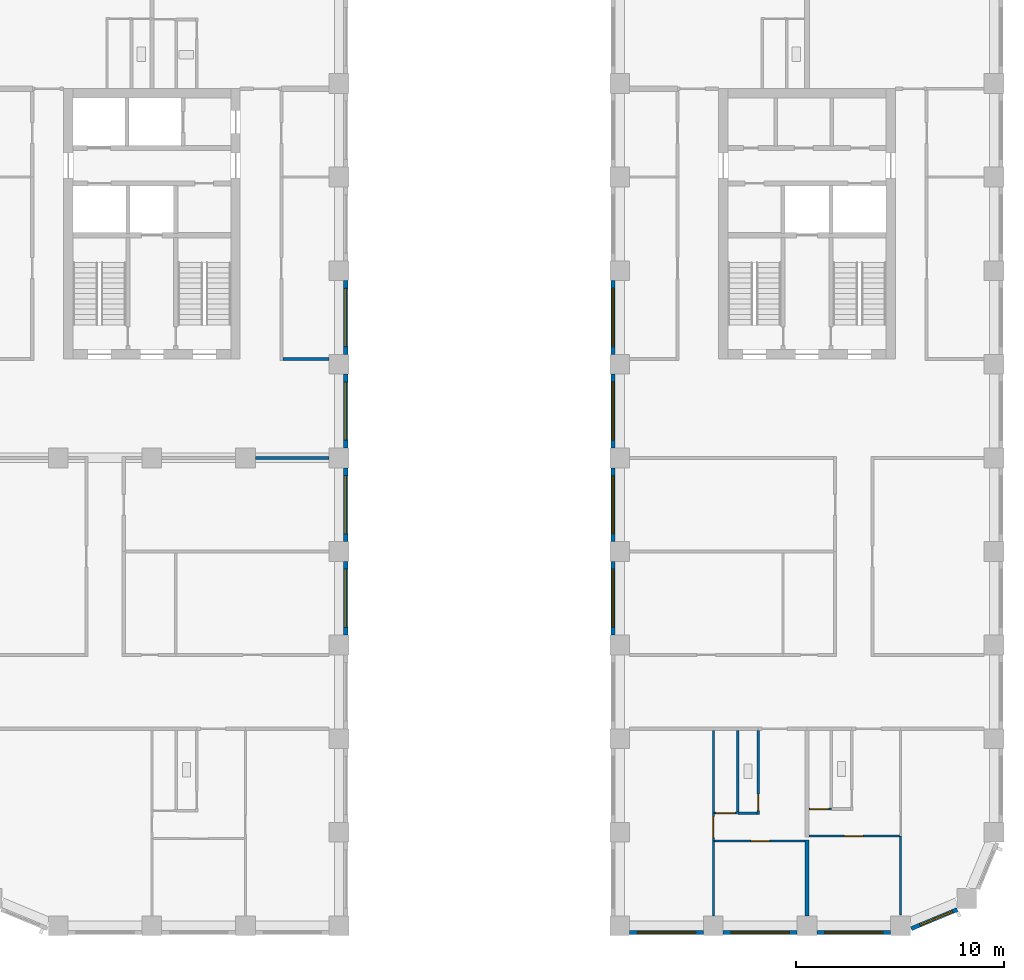
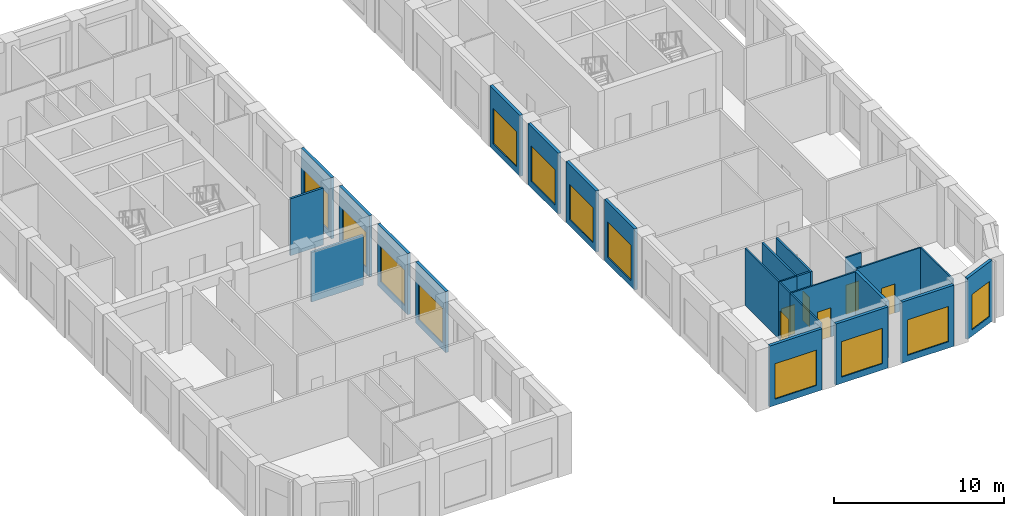
# One storey, part 4 of 13: 26 walls, 12 windows, 6 doors, 18 openings.
"""IFC4 building model written with IfcOpenShell, lengths in metres."""

from ifc_helpers import new_model, si_unit, direction, frame, frame_2d, origin, place, context, subcontext, project, spatial, rectangle, extrude, material, layer, layer_set, type_object, element, fill, save


model = new_model("IFC4")

# Units and contexts
model_context = context("Model", 3, precision=1e-05, world=origin(), true_north=direction((0.0, 1.0)))
body_context = subcontext(model_context, "Body", "Model", "MODEL_VIEW")
ifc_project = project(units=[si_unit("LENGTHUNIT", "METRE"), si_unit("AREAUNIT", "SQUARE_METRE"), si_unit("VOLUMEUNIT", "CUBIC_METRE"), si_unit("PLANEANGLEUNIT", "RADIAN"), si_unit("MASSUNIT", "GRAM", prefix="KILO")], contexts=[model_context])

# Site, building, storey
site_placement = place(None, origin())
site = spatial("IfcSite", under=ifc_project, at=site_placement, CompositionType="ELEMENT")
building_placement = place(site_placement, origin())
building = spatial("IfcBuilding", under=site, at=building_placement, Name="Girih Gate Residences", CompositionType="ELEMENT")
storey_placement = place(building_placement, frame((0.0, 0.0, 159.39990234375)))
storey = spatial("IfcBuildingStorey", under=building, at=storey_placement, Name="L44", CompositionType="ELEMENT", Elevation=159.39990234375)

# Walls
ifc_material_1 = material(Name="Gypsum board on steel studs", Category="steel")
ifc_layer_1 = layer(ifc_material_1, 0.14990234375)
ifc_layer_set_1 = layer_set([ifc_layer_1], Name="Compartment wall 150 mm")
wall_type_1 = type_object("IfcWallType", Name="Compartment wall 150 mm", PredefinedType="PARTITIONING", material=ifc_layer_set_1)
wall_1_placement = place(storey_placement, frame((13.97509765625, 22.5, 0.0), z_axis=(0.0, 0.0, 1.0), x_axis=(1.0, 0.0, 0.0)))
element("IfcWall", 1, at=wall_1_placement, inside=storey, type_object=wall_type_1, Name="L44 partition", PredefinedType="PARTITIONING", context=body_context, shape_type="SweptSolid", body=[
    extrude(rectangle(XDim=3.5498046875, YDim=0.14990234375, at=frame_2d((1.77490234375, 0.0))), origin(), (0.0, 0.0, 1.0), 3.580078125),
])
wall_2_placement = place(storey_placement, frame((15.300048828125, 27.25, 0.0), z_axis=(0.0, 0.0, 1.0), x_axis=(1.0, 0.0, 0.0)))
element("IfcWall", 2, at=wall_2_placement, inside=storey, type_object=wall_type_1, Name="L44 partition", PredefinedType="PARTITIONING", context=body_context, shape_type="SweptSolid", body=[
    extrude(rectangle(XDim=2.224853515625, YDim=0.14990234375, at=frame_2d((1.1123046875, 0.0))), origin(), (0.0, 0.0, 1.0), 4.10009765625),
])

# Wall, opening, door
ifc_layer_2 = layer(ifc_material_1, 0.10009765625)
ifc_layer_set_2 = layer_set([ifc_layer_2], Name="Partition 100 mm")
wall_type_2 = type_object("IfcWallType", Name="Partition 100 mm", PredefinedType="PARTITIONING", material=ifc_layer_set_2)
wall_3_placement = place(storey_placement, frame((44.949951171875, 4.31494140625, 0.0), z_axis=(0.0, 0.0, 1.0), x_axis=(-1.0, 0.0, 0.0)))
wall_3 = element("IfcWall", 3, at=wall_3_placement, inside=storey, type_object=wall_type_2, Name="L44 partition", PredefinedType="PARTITIONING", context=body_context, shape_type="SweptSolid", body=[
    extrude(rectangle(XDim=4.349853515625, YDim=0.10009765625, at=frame_2d((2.1748046875, 0.0))), origin(), (0.0, 0.0, 1.0), 4.10009765625),
])
opening_1_placement = place(wall_3_placement, frame((1.75, 0.0, 0.0)))
opening_1 = element("IfcOpeningElement", 4, at=opening_1_placement, cuts=wall_3, Name="Opening A44-018", PredefinedType="OPENING", context=body_context, shape_type="SweptSolid", body=[
    extrude(rectangle(XDim=0.89990234375, YDim=2.10009765625, at=frame_2d((0.449951171875, 1.050048828125))), frame((0.0, 0.06005859375, 0.0), z_axis=(0.0, -1.0, 0.0), x_axis=(1.0, 0.0, 0.0)), (0.0, 0.0, 1.0), 0.1201171875),
])
ifc_material_2 = material(Name="Timber", Category="wood")
door_type_1 = type_object("IfcDoorType", Name="Bedroom door 900x2100", OperationType="NOTDEFINED", PredefinedType="DOOR", material=ifc_material_2)
door_1_placement = place(opening_1_placement, origin())
door_1 = element("IfcDoor", 5, at=door_1_placement, inside=storey, type_object=door_type_1, Name="Door A44-018", OperationType="SINGLE_SWING_RIGHT", OverallHeight=2.10009765625, OverallWidth=0.89990234375, PredefinedType="DOOR", context=body_context, shape_type="SweptSolid", body=[
    extrude(rectangle(XDim=0.89990234375, YDim=2.10009765625, at=frame_2d((0.449951171875, 1.050048828125))), frame((0.0, 0.02490234375, 0.0), z_axis=(0.0, -1.0, 0.0), x_axis=(1.0, 0.0, 0.0)), (0.0, 0.0, 1.0), 0.050048828125),
])
fill(opening_1, door_1)

# Wall
wall_4_placement = place(storey_placement, frame((45.0, 0.51416015625, 0.0), z_axis=(0.0, 0.0, 1.0), x_axis=(0.0, 1.0, 0.0)))
element("IfcWall", 6, at=wall_4_placement, inside=storey, type_object=wall_type_2, Name="L44 partition", PredefinedType="PARTITIONING", context=body_context, shape_type="SweptSolid", body=[
    extrude(rectangle(XDim=3.80078125, YDim=0.10009765625, at=frame_2d((1.900390625, 0.0))), origin(), (0.0, 0.0, 1.0), 4.10009765625),
])

# Wall, opening, door
wall_5_placement = place(storey_placement, frame((40.60009765625, 5.614990234375, 0.0), z_axis=(0.0, 0.0, 1.0), x_axis=(1.0, 0.0, 0.0)))
wall_5 = element("IfcWall", 7, at=wall_5_placement, inside=storey, type_object=wall_type_2, Name="L44 partition", PredefinedType="PARTITIONING", context=body_context, shape_type="SweptSolid", body=[
    extrude(rectangle(XDim=1.072509765625, YDim=0.10009765625, at=frame_2d((0.5361328125, 0.0))), origin(), (0.0, 0.0, 1.0), 4.10009765625),
])
opening_2_placement = place(wall_5_placement, frame((0.036376953125, 0.0, 0.0)))
opening_2 = element("IfcOpeningElement", 8, at=opening_2_placement, cuts=wall_5, Name="Opening A44-019", PredefinedType="OPENING", context=body_context, shape_type="SweptSolid", body=[
    extrude(rectangle(XDim=0.89990234375, YDim=2.10009765625, at=frame_2d((0.449951171875, 1.050048828125))), frame((0.0, 0.06005859375, 0.0), z_axis=(0.0, -1.0, 0.0), x_axis=(1.0, 0.0, 0.0)), (0.0, 0.0, 1.0), 0.1201171875),
])
door_type_2 = type_object("IfcDoorType", Name="Kitchen door 900x2100", OperationType="NOTDEFINED", PredefinedType="DOOR", material=ifc_material_2)
door_2_placement = place(opening_2_placement, origin())
door_2 = element("IfcDoor", 9, at=door_2_placement, inside=storey, type_object=door_type_2, Name="Door A44-019", OperationType="SINGLE_SWING_LEFT", OverallHeight=2.10009765625, OverallWidth=0.89990234375, PredefinedType="DOOR", context=body_context, shape_type="SweptSolid", body=[
    extrude(rectangle(XDim=0.89990234375, YDim=2.10009765625, at=frame_2d((0.449951171875, 1.050048828125))), frame((0.0, 0.02490234375, 0.0), z_axis=(0.0, -1.0, 0.0), x_axis=(1.0, 0.0, 0.0)), (0.0, 0.0, 1.0), 0.050048828125),
])
fill(opening_2, door_2)

wall_6_placement = place(storey_placement, frame((40.39990234375, 4.074951171875, 0.0), z_axis=(0.0, 0.0, 1.0), x_axis=(-1.0, 0.0, 0.0)))
wall_6 = element("IfcWall", 10, at=wall_6_placement, inside=storey, type_object=wall_type_2, Name="L44 partition", PredefinedType="PARTITIONING", context=body_context, shape_type="SweptSolid", body=[
    extrude(rectangle(XDim=4.349853515625, YDim=0.10009765625, at=frame_2d((2.1748046875, 0.0))), origin(), (0.0, 0.0, 1.0), 4.10009765625),
])
opening_3_placement = place(wall_6_placement, frame((1.699951171875, 0.0, 0.0)))
opening_3 = element("IfcOpeningElement", 11, at=opening_3_placement, cuts=wall_6, Name="Opening A44-023", PredefinedType="OPENING", context=body_context, shape_type="SweptSolid", body=[
    extrude(rectangle(XDim=0.89990234375, YDim=2.10009765625, at=frame_2d((0.449951171875, 1.050048828125))), frame((0.0, 0.06005859375, 0.0), z_axis=(0.0, -1.0, 0.0), x_axis=(1.0, 0.0, 0.0)), (0.0, 0.0, 1.0), 0.1201171875),
])
door_3_placement = place(opening_3_placement, origin())
door_3 = element("IfcDoor", 12, at=door_3_placement, inside=storey, type_object=door_type_1, Name="Door A44-023", OperationType="SINGLE_SWING_LEFT", OverallHeight=2.10009765625, OverallWidth=0.89990234375, PredefinedType="DOOR", context=body_context, shape_type="SweptSolid", body=[
    extrude(rectangle(XDim=0.89990234375, YDim=2.10009765625, at=frame_2d((0.449951171875, 1.050048828125))), frame((0.0, 0.02490234375, 0.0), z_axis=(0.0, -1.0, 0.0), x_axis=(1.0, 0.0, 0.0)), (0.0, 0.0, 1.0), 0.050048828125),
])
fill(opening_3, door_3)

# Wall
wall_7_placement = place(storey_placement, frame((36.0, 0.47509765625, 0.0), z_axis=(0.0, 0.0, 1.0), x_axis=(0.0, 1.0, 0.0)))
element("IfcWall", 13, at=wall_7_placement, inside=storey, type_object=wall_type_2, Name="L44 partition", PredefinedType="PARTITIONING", context=body_context, shape_type="SweptSolid", body=[
    extrude(rectangle(XDim=3.599853515625, YDim=0.10009765625, at=frame_2d((1.7998046875, 0.0))), origin(), (0.0, 0.0, 1.0), 4.10009765625),
])

# Wall, opening, door
wall_8_placement = place(storey_placement, frame((36.050048828125, 5.4150390625, 0.0), z_axis=(0.0, 0.0, 1.0), x_axis=(1.0, 0.0, 0.0)))
wall_8 = element("IfcWall", 14, at=wall_8_placement, inside=storey, type_object=wall_type_2, Name="L44 partition", PredefinedType="PARTITIONING", context=body_context, shape_type="SweptSolid", body=[
    extrude(rectangle(XDim=1.12255859375, YDim=0.10009765625, at=frame_2d((0.561279296875, 0.0))), origin(), (0.0, 0.0, 1.0), 4.10009765625),
])
opening_4_placement = place(wall_8_placement, frame((0.08642578125, 0.0, 0.0)))
opening_4 = element("IfcOpeningElement", 15, at=opening_4_placement, cuts=wall_8, Name="Opening A44-024", PredefinedType="OPENING", context=body_context, shape_type="SweptSolid", body=[
    extrude(rectangle(XDim=0.89990234375, YDim=2.10009765625, at=frame_2d((0.449951171875, 1.050048828125))), frame((0.0, 0.06005859375, 0.0), z_axis=(0.0, -1.0, 0.0), x_axis=(1.0, 0.0, 0.0)), (0.0, 0.0, 1.0), 0.1201171875),
])
door_4_placement = place(opening_4_placement, origin())
door_4 = element("IfcDoor", 16, at=door_4_placement, inside=storey, type_object=door_type_2, Name="Door A44-024", OperationType="SINGLE_SWING_LEFT", OverallHeight=2.10009765625, OverallWidth=0.89990234375, PredefinedType="DOOR", context=body_context, shape_type="SweptSolid", body=[
    extrude(rectangle(XDim=0.89990234375, YDim=2.10009765625, at=frame_2d((0.449951171875, 1.050048828125))), frame((0.0, 0.02490234375, 0.0), z_axis=(0.0, -1.0, 0.0), x_axis=(1.0, 0.0, 0.0)), (0.0, 0.0, 1.0), 0.050048828125),
])
fill(opening_4, door_4)

wall_9_placement = place(storey_placement, frame((36.0, 4.074951171875, 0.0), z_axis=(0.0, 0.0, 1.0), x_axis=(0.0, 1.0, 0.0)))
wall_9 = element("IfcWall", 17, at=wall_9_placement, inside=storey, type_object=wall_type_2, Name="L44 partition", PredefinedType="PARTITIONING", context=body_context, shape_type="SweptSolid", body=[
    extrude(rectangle(XDim=1.340087890625, YDim=0.10009765625, at=frame_2d((0.669921875, 0.0))), origin(), (0.0, 0.0, 1.0), 4.10009765625),
])
opening_5_placement = place(wall_9_placement, frame((0.169921875, 0.0, 0.0)))
opening_5 = element("IfcOpeningElement", 18, at=opening_5_placement, cuts=wall_9, Name="Opening A44-025", PredefinedType="OPENING", context=body_context, shape_type="SweptSolid", body=[
    extrude(rectangle(XDim=1.0, YDim=2.10009765625, at=frame_2d((0.5, 1.050048828125))), frame((0.0, 0.06005859375, 0.0), z_axis=(0.0, -1.0, 0.0), x_axis=(1.0, 0.0, 0.0)), (0.0, 0.0, 1.0), 0.1201171875),
])
door_type_3 = type_object("IfcDoorType", Name="Living room door 1000x2100", OperationType="NOTDEFINED", PredefinedType="DOOR", material=ifc_material_2)
door_5_placement = place(opening_5_placement, origin())
door_5 = element("IfcDoor", 19, at=door_5_placement, inside=storey, type_object=door_type_3, Name="Door A44-025", OperationType="SINGLE_SWING_RIGHT", OverallHeight=2.10009765625, OverallWidth=1.0, PredefinedType="DOOR", context=body_context, shape_type="SweptSolid", body=[
    extrude(rectangle(XDim=1.0, YDim=2.10009765625, at=frame_2d((0.5, 1.050048828125))), frame((0.0, 0.02490234375, 0.0), z_axis=(0.0, -1.0, 0.0), x_axis=(1.0, 0.0, 0.0)), (0.0, 0.0, 1.0), 0.050048828125),
])
fill(opening_5, door_5)

# Walls
wall_10_placement = place(storey_placement, frame((36.0, 5.4150390625, 0.0), z_axis=(0.0, 0.0, 1.0), x_axis=(0.0, 1.0, 0.0)))
element("IfcWall", 20, at=wall_10_placement, inside=storey, type_object=wall_type_2, Name="L44 partition", PredefinedType="PARTITIONING", context=body_context, shape_type="SweptSolid", body=[
    extrude(rectangle(XDim=3.98486328125, YDim=0.10009765625, at=frame_2d((1.992431640625, 0.0))), origin(), (0.0, 0.0, 1.0), 4.10009765625),
])
ifc_layer_3 = layer(ifc_material_1, 0.199951171875)
ifc_layer_set_3 = layer_set([ifc_layer_3], Name="Party wall 200 mm")
wall_type_3 = type_object("IfcWallType", Name="Party wall 200 mm", PredefinedType="PARTITIONING", material=ifc_layer_set_3)
wall_11_placement = place(storey_placement, frame((40.5, 0.47509765625, 0.0), z_axis=(0.0, 0.0, 1.0), x_axis=(0.0, 1.0, 0.0)))
element("IfcWall", 21, at=wall_11_placement, inside=storey, type_object=wall_type_3, Name="L44 partition", PredefinedType="PARTITIONING", context=body_context, shape_type="SweptSolid", body=[
    extrude(rectangle(XDim=3.64990234375, YDim=0.199951171875, at=frame_2d((1.824951171875, 0.0))), origin(), (0.0, 0.0, 1.0), 4.10009765625),
])

# Wall, opening, window
ifc_material_3 = material(Name="Precast concrete C50/60", Category="concrete")
ifc_layer_4 = layer(ifc_material_3, 0.06005859375, Name="Outer leaf")
ifc_material_4 = material(Name="Rigid PIR insulation")
ifc_layer_5 = layer(ifc_material_4, 0.090087890625, Name="Insulation")
ifc_material_5 = material(Name="Precast concrete C40/50", Category="concrete")
ifc_layer_6 = layer(ifc_material_5, 0.050048828125, Name="Inner leaf")
ifc_layer_set_4 = layer_set([ifc_layer_4, ifc_layer_5, ifc_layer_6], Name="Precast concrete C50/60 external wall 200")
wall_type_4 = type_object("IfcWallType", Name="Precast concrete C50/60 external wall 200", PredefinedType="SOLIDWALL", material=ifc_layer_set_4)
wall_12_placement = place(storey_placement, frame((18.324951171875, 17.52490234375, 0.0), z_axis=(0.0, 0.0, 1.0), x_axis=(0.0, -1.0, 0.0)))
wall_12 = element("IfcWall", 22, at=wall_12_placement, inside=storey, type_object=wall_type_4, Name="External wall E0180_0000.3", PredefinedType="SOLIDWALL", context=body_context, shape_type="SweptSolid", body=[
    extrude(rectangle(XDim=3.5498046875, YDim=0.199951171875, at=frame_2d((1.77490234375, 0.0))), origin(), (0.0, 0.0, 1.0), 4.400146484375),
])
opening_6_placement = place(wall_12_placement, frame((0.375, 0.0, 0.449951171875)))
opening_6 = element("IfcOpeningElement", 23, at=opening_6_placement, cuts=wall_12, Name="Opening W-6A", PredefinedType="OPENING", context=body_context, shape_type="SweptSolid", body=[
    extrude(rectangle(XDim=2.800048828125, YDim=2.550048828125, at=frame_2d((1.39990234375, 1.27490234375))), frame((0.0, 0.10986328125, 0.0), z_axis=(0.0, -1.0, 0.0), x_axis=(1.0, 0.0, 0.0)), (0.0, 0.0, 1.0), 0.219970703125),
])
ifc_material_6 = material(Name="Double glazing in aluminium frame", Category="aluminium")
window_type_1 = type_object("IfcWindowType", Name="Window W-6A 2800x2550", PartitioningType="SINGLE_PANEL", PredefinedType="WINDOW", material=ifc_material_6)
window_1_placement = place(opening_6_placement, origin())
window_1 = element("IfcWindow", 24, at=window_1_placement, inside=storey, type_object=window_type_1, Name="Window W-6A E0180_0000.3", OverallHeight=2.550048828125, OverallWidth=2.800048828125, PartitioningType="SINGLE_PANEL", PredefinedType="WINDOW", context=body_context, shape_type="SweptSolid", body=[
    extrude(rectangle(XDim=2.800048828125, YDim=2.550048828125, at=frame_2d((1.39990234375, 1.27490234375))), frame((0.0, 0.030029296875, 0.0), z_axis=(0.0, -1.0, 0.0), x_axis=(1.0, 0.0, 0.0)), (0.0, 0.0, 1.0), 0.06005859375),
])
fill(opening_6, window_1)

wall_13_placement = place(storey_placement, frame((18.324951171875, 22.02490234375, 0.0), z_axis=(0.0, 0.0, 1.0), x_axis=(0.0, -1.0, 0.0)))
wall_13 = element("IfcWall", 25, at=wall_13_placement, inside=storey, type_object=wall_type_4, Name="External wall E0180_0000.4", PredefinedType="SOLIDWALL", context=body_context, shape_type="SweptSolid", body=[
    extrude(rectangle(XDim=3.5498046875, YDim=0.199951171875, at=frame_2d((1.77490234375, 0.0))), origin(), (0.0, 0.0, 1.0), 4.400146484375),
])
opening_7_placement = place(wall_13_placement, frame((0.375, 0.0, 0.449951171875)))
opening_7 = element("IfcOpeningElement", 26, at=opening_7_placement, cuts=wall_13, Name="Opening W-6A", PredefinedType="OPENING", context=body_context, shape_type="SweptSolid", body=[
    extrude(rectangle(XDim=2.800048828125, YDim=2.550048828125, at=frame_2d((1.39990234375, 1.27490234375))), frame((0.0, 0.10986328125, 0.0), z_axis=(0.0, -1.0, 0.0), x_axis=(1.0, 0.0, 0.0)), (0.0, 0.0, 1.0), 0.219970703125),
])
window_2_placement = place(opening_7_placement, origin())
window_2 = element("IfcWindow", 27, at=window_2_placement, inside=storey, type_object=window_type_1, Name="Window W-6A E0180_0000.4", OverallHeight=2.550048828125, OverallWidth=2.800048828125, PartitioningType="SINGLE_PANEL", PredefinedType="WINDOW", context=body_context, shape_type="SweptSolid", body=[
    extrude(rectangle(XDim=2.800048828125, YDim=2.550048828125, at=frame_2d((1.39990234375, 1.27490234375))), frame((0.0, 0.030029296875, 0.0), z_axis=(0.0, -1.0, 0.0), x_axis=(1.0, 0.0, 0.0)), (0.0, 0.0, 1.0), 0.06005859375),
])
fill(opening_7, window_2)

wall_14_placement = place(storey_placement, frame((18.324951171875, 26.52490234375, 0.0), z_axis=(0.0, 0.0, 1.0), x_axis=(0.0, -1.0, 0.0)))
wall_14 = element("IfcWall", 28, at=wall_14_placement, inside=storey, type_object=wall_type_4, Name="External wall E0180_0000.5", PredefinedType="SOLIDWALL", context=body_context, shape_type="SweptSolid", body=[
    extrude(rectangle(XDim=3.5498046875, YDim=0.199951171875, at=frame_2d((1.77490234375, 0.0))), origin(), (0.0, 0.0, 1.0), 4.400146484375),
])
opening_8_placement = place(wall_14_placement, frame((0.375, 0.0, 0.449951171875)))
opening_8 = element("IfcOpeningElement", 29, at=opening_8_placement, cuts=wall_14, Name="Opening W-6A", PredefinedType="OPENING", context=body_context, shape_type="SweptSolid", body=[
    extrude(rectangle(XDim=2.800048828125, YDim=2.550048828125, at=frame_2d((1.39990234375, 1.27490234375))), frame((0.0, 0.10986328125, 0.0), z_axis=(0.0, -1.0, 0.0), x_axis=(1.0, 0.0, 0.0)), (0.0, 0.0, 1.0), 0.219970703125),
])
window_3_placement = place(opening_8_placement, origin())
window_3 = element("IfcWindow", 30, at=window_3_placement, inside=storey, type_object=window_type_1, Name="Window W-6A E0180_0000.5", OverallHeight=2.550048828125, OverallWidth=2.800048828125, PartitioningType="SINGLE_PANEL", PredefinedType="WINDOW", context=body_context, shape_type="SweptSolid", body=[
    extrude(rectangle(XDim=2.800048828125, YDim=2.550048828125, at=frame_2d((1.39990234375, 1.27490234375))), frame((0.0, 0.030029296875, 0.0), z_axis=(0.0, -1.0, 0.0), x_axis=(1.0, 0.0, 0.0)), (0.0, 0.0, 1.0), 0.06005859375),
])
fill(opening_8, window_3)

wall_15_placement = place(storey_placement, frame((18.324951171875, 31.02490234375, 0.0), z_axis=(0.0, 0.0, 1.0), x_axis=(0.0, -1.0, 0.0)))
wall_15 = element("IfcWall", 31, at=wall_15_placement, inside=storey, type_object=wall_type_4, Name="External wall E0180_0000.6", PredefinedType="SOLIDWALL", context=body_context, shape_type="SweptSolid", body=[
    extrude(rectangle(XDim=3.5498046875, YDim=0.199951171875, at=frame_2d((1.77490234375, 0.0))), origin(), (0.0, 0.0, 1.0), 4.400146484375),
])
opening_9_placement = place(wall_15_placement, frame((0.375, 0.0, 0.449951171875)))
opening_9 = element("IfcOpeningElement", 32, at=opening_9_placement, cuts=wall_15, Name="Opening W-6A", PredefinedType="OPENING", context=body_context, shape_type="SweptSolid", body=[
    extrude(rectangle(XDim=2.800048828125, YDim=2.550048828125, at=frame_2d((1.39990234375, 1.27490234375))), frame((0.0, 0.10986328125, 0.0), z_axis=(0.0, -1.0, 0.0), x_axis=(1.0, 0.0, 0.0)), (0.0, 0.0, 1.0), 0.219970703125),
])
window_4_placement = place(opening_9_placement, origin())
window_4 = element("IfcWindow", 33, at=window_4_placement, inside=storey, type_object=window_type_1, Name="Window W-6A E0180_0000.6", OverallHeight=2.550048828125, OverallWidth=2.800048828125, PartitioningType="SINGLE_PANEL", PredefinedType="WINDOW", context=body_context, shape_type="SweptSolid", body=[
    extrude(rectangle(XDim=2.800048828125, YDim=2.550048828125, at=frame_2d((1.39990234375, 1.27490234375))), frame((0.0, 0.030029296875, 0.0), z_axis=(0.0, -1.0, 0.0), x_axis=(1.0, 0.0, 0.0)), (0.0, 0.0, 1.0), 0.06005859375),
])
fill(opening_9, window_4)

wall_16_placement = place(storey_placement, frame((35.52490234375, -0.324951171875, 0.0), z_axis=(0.0, 0.0, 1.0), x_axis=(-1.0, 0.0, 0.0)))
wall_16 = element("IfcWall", 34, at=wall_16_placement, inside=storey, type_object=wall_type_4, Name="External wall S0315_0000.0", PredefinedType="SOLIDWALL", context=body_context, shape_type="SweptSolid", body=[
    extrude(rectangle(XDim=3.5498046875, YDim=0.199951171875, at=frame_2d((1.77490234375, 0.0))), origin(), (0.0, 0.0, 1.0), 4.400146484375),
])
opening_10_placement = place(wall_16_placement, frame((0.375, 0.0, 0.449951171875)))
opening_10 = element("IfcOpeningElement", 35, at=opening_10_placement, cuts=wall_16, Name="Opening W-6A", PredefinedType="OPENING", context=body_context, shape_type="SweptSolid", body=[
    extrude(rectangle(XDim=2.800048828125, YDim=2.550048828125, at=frame_2d((1.39990234375, 1.27490234375))), frame((0.0, 0.10986328125, 0.0), z_axis=(0.0, -1.0, 0.0), x_axis=(1.0, 0.0, 0.0)), (0.0, 0.0, 1.0), 0.219970703125),
])
window_5_placement = place(opening_10_placement, origin())
window_5 = element("IfcWindow", 36, at=window_5_placement, inside=storey, type_object=window_type_1, Name="Window W-6A S0315_0000.0", OverallHeight=2.550048828125, OverallWidth=2.800048828125, PartitioningType="SINGLE_PANEL", PredefinedType="WINDOW", context=body_context, shape_type="SweptSolid", body=[
    extrude(rectangle(XDim=2.800048828125, YDim=2.550048828125, at=frame_2d((1.39990234375, 1.27490234375))), frame((0.0, 0.030029296875, 0.0), z_axis=(0.0, -1.0, 0.0), x_axis=(1.0, 0.0, 0.0)), (0.0, 0.0, 1.0), 0.06005859375),
])
fill(opening_10, window_5)

wall_17_placement = place(storey_placement, frame((40.02490234375, -0.324951171875, 0.0), z_axis=(0.0, 0.0, 1.0), x_axis=(-1.0, 0.0, 0.0)))
wall_17 = element("IfcWall", 37, at=wall_17_placement, inside=storey, type_object=wall_type_4, Name="External wall S0315_0000.1", PredefinedType="SOLIDWALL", context=body_context, shape_type="SweptSolid", body=[
    extrude(rectangle(XDim=3.5498046875, YDim=0.199951171875, at=frame_2d((1.77490234375, 0.0))), origin(), (0.0, 0.0, 1.0), 4.400146484375),
])
opening_11_placement = place(wall_17_placement, frame((0.375, 0.0, 0.449951171875)))
opening_11 = element("IfcOpeningElement", 38, at=opening_11_placement, cuts=wall_17, Name="Opening W-6A", PredefinedType="OPENING", context=body_context, shape_type="SweptSolid", body=[
    extrude(rectangle(XDim=2.800048828125, YDim=2.550048828125, at=frame_2d((1.39990234375, 1.27490234375))), frame((0.0, 0.10986328125, 0.0), z_axis=(0.0, -1.0, 0.0), x_axis=(1.0, 0.0, 0.0)), (0.0, 0.0, 1.0), 0.219970703125),
])
window_6_placement = place(opening_11_placement, origin())
window_6 = element("IfcWindow", 39, at=window_6_placement, inside=storey, type_object=window_type_1, Name="Window W-6A S0315_0000.1", OverallHeight=2.550048828125, OverallWidth=2.800048828125, PartitioningType="SINGLE_PANEL", PredefinedType="WINDOW", context=body_context, shape_type="SweptSolid", body=[
    extrude(rectangle(XDim=2.800048828125, YDim=2.550048828125, at=frame_2d((1.39990234375, 1.27490234375))), frame((0.0, 0.030029296875, 0.0), z_axis=(0.0, -1.0, 0.0), x_axis=(1.0, 0.0, 0.0)), (0.0, 0.0, 1.0), 0.06005859375),
])
fill(opening_11, window_6)

wall_18_placement = place(storey_placement, frame((44.52490234375, -0.324951171875, 0.0), z_axis=(0.0, 0.0, 1.0), x_axis=(-1.0, 0.0, 0.0)))
wall_18 = element("IfcWall", 40, at=wall_18_placement, inside=storey, type_object=wall_type_4, Name="External wall S0315_0000.2", PredefinedType="SOLIDWALL", context=body_context, shape_type="SweptSolid", body=[
    extrude(rectangle(XDim=3.5498046875, YDim=0.199951171875, at=frame_2d((1.77490234375, 0.0))), origin(), (0.0, 0.0, 1.0), 4.400146484375),
])
opening_12_placement = place(wall_18_placement, frame((0.375, 0.0, 0.449951171875)))
opening_12 = element("IfcOpeningElement", 41, at=opening_12_placement, cuts=wall_18, Name="Opening W-6A", PredefinedType="OPENING", context=body_context, shape_type="SweptSolid", body=[
    extrude(rectangle(XDim=2.800048828125, YDim=2.550048828125, at=frame_2d((1.39990234375, 1.27490234375))), frame((0.0, 0.10986328125, 0.0), z_axis=(0.0, -1.0, 0.0), x_axis=(1.0, 0.0, 0.0)), (0.0, 0.0, 1.0), 0.219970703125),
])
window_7_placement = place(opening_12_placement, origin())
window_7 = element("IfcWindow", 42, at=window_7_placement, inside=storey, type_object=window_type_1, Name="Window W-6A S0315_0000.2", OverallHeight=2.550048828125, OverallWidth=2.800048828125, PartitioningType="SINGLE_PANEL", PredefinedType="WINDOW", context=body_context, shape_type="SweptSolid", body=[
    extrude(rectangle(XDim=2.800048828125, YDim=2.550048828125, at=frame_2d((1.39990234375, 1.27490234375))), frame((0.0, 0.030029296875, 0.0), z_axis=(0.0, -1.0, 0.0), x_axis=(1.0, 0.0, 0.0)), (0.0, 0.0, 1.0), 0.06005859375),
])
fill(opening_12, window_7)

wall_19_placement = place(storey_placement, frame((47.73291015625, 0.7802734375, 0.0), z_axis=(0.0, 0.0, 1.0), x_axis=(-0.923880599843, -0.382680855588, 0.0)))
wall_19 = element("IfcWall", 43, at=wall_19_placement, inside=storey, type_object=wall_type_4, Name="External wall SE0450_0000.0", PredefinedType="SOLIDWALL", context=body_context, shape_type="SweptSolid", body=[
    extrude(rectangle(XDim=2.402587890625, YDim=0.199951171875, at=frame_2d((1.201171875, 0.0))), origin(), (0.0, 0.0, 1.0), 4.400146484375),
])
opening_13_placement = place(wall_19_placement, frame((0.25146484375, 0.0, 0.449951171875)))
opening_13 = element("IfcOpeningElement", 44, at=opening_13_placement, cuts=wall_19, Name="Opening W-2F", PredefinedType="OPENING", context=body_context, shape_type="SweptSolid", body=[
    extrude(rectangle(XDim=1.699951171875, YDim=2.550048828125, at=frame_2d((0.85009765625, 1.27490234375))), frame((0.0, 0.10986328125, 0.0), z_axis=(0.0, -1.0, 0.0), x_axis=(1.0, 0.0, 0.0)), (0.0, 0.0, 1.0), 0.219970703125),
])
window_type_2 = type_object("IfcWindowType", Name="Window W-2F 1700x2550", PartitioningType="SINGLE_PANEL", PredefinedType="WINDOW", material=ifc_material_6)
window_8_placement = place(opening_13_placement, origin())
window_8 = element("IfcWindow", 45, at=window_8_placement, inside=storey, type_object=window_type_2, Name="Window W-2F SE0450_0000.0", OverallHeight=2.550048828125, OverallWidth=1.699951171875, PartitioningType="SINGLE_PANEL", PredefinedType="WINDOW", context=body_context, shape_type="SweptSolid", body=[
    extrude(rectangle(XDim=1.699951171875, YDim=2.550048828125, at=frame_2d((0.85009765625, 1.27490234375))), frame((0.0, 0.030029296875, 0.0), z_axis=(0.0, -1.0, 0.0), x_axis=(1.0, 0.0, 0.0)), (0.0, 0.0, 1.0), 0.06005859375),
])
fill(opening_13, window_8)

wall_20_placement = place(storey_placement, frame((31.175048828125, 27.47509765625, 0.0), z_axis=(0.0, 0.0, 1.0), x_axis=(0.0, 1.0, 0.0)))
wall_20 = element("IfcWall", 46, at=wall_20_placement, inside=storey, type_object=wall_type_4, Name="External wall W0315_0495.4", PredefinedType="SOLIDWALL", context=body_context, shape_type="SweptSolid", body=[
    extrude(rectangle(XDim=3.5498046875, YDim=0.199951171875, at=frame_2d((1.77490234375, 0.0))), origin(), (0.0, 0.0, 1.0), 4.400146484375),
])
opening_14_placement = place(wall_20_placement, frame((0.375, 0.0, 0.449951171875)))
opening_14 = element("IfcOpeningElement", 47, at=opening_14_placement, cuts=wall_20, Name="Opening W-6A", PredefinedType="OPENING", context=body_context, shape_type="SweptSolid", body=[
    extrude(rectangle(XDim=2.800048828125, YDim=2.550048828125, at=frame_2d((1.39990234375, 1.27490234375))), frame((0.0, 0.10986328125, 0.0), z_axis=(0.0, -1.0, 0.0), x_axis=(1.0, 0.0, 0.0)), (0.0, 0.0, 1.0), 0.219970703125),
])
window_9_placement = place(opening_14_placement, origin())
window_9 = element("IfcWindow", 48, at=window_9_placement, inside=storey, type_object=window_type_1, Name="Window W-6A W0315_0495.4", OverallHeight=2.550048828125, OverallWidth=2.800048828125, PartitioningType="SINGLE_PANEL", PredefinedType="WINDOW", context=body_context, shape_type="SweptSolid", body=[
    extrude(rectangle(XDim=2.800048828125, YDim=2.550048828125, at=frame_2d((1.39990234375, 1.27490234375))), frame((0.0, 0.030029296875, 0.0), z_axis=(0.0, -1.0, 0.0), x_axis=(1.0, 0.0, 0.0)), (0.0, 0.0, 1.0), 0.06005859375),
])
fill(opening_14, window_9)

wall_21_placement = place(storey_placement, frame((31.175048828125, 22.97509765625, 0.0), z_axis=(0.0, 0.0, 1.0), x_axis=(0.0, 1.0, 0.0)))
wall_21 = element("IfcWall", 49, at=wall_21_placement, inside=storey, type_object=wall_type_4, Name="External wall W0315_0495.5", PredefinedType="SOLIDWALL", context=body_context, shape_type="SweptSolid", body=[
    extrude(rectangle(XDim=3.5498046875, YDim=0.199951171875, at=frame_2d((1.77490234375, 0.0))), origin(), (0.0, 0.0, 1.0), 4.400146484375),
])
opening_15_placement = place(wall_21_placement, frame((0.375, 0.0, 0.449951171875)))
opening_15 = element("IfcOpeningElement", 50, at=opening_15_placement, cuts=wall_21, Name="Opening W-6A", PredefinedType="OPENING", context=body_context, shape_type="SweptSolid", body=[
    extrude(rectangle(XDim=2.800048828125, YDim=2.550048828125, at=frame_2d((1.39990234375, 1.27490234375))), frame((0.0, 0.10986328125, 0.0), z_axis=(0.0, -1.0, 0.0), x_axis=(1.0, 0.0, 0.0)), (0.0, 0.0, 1.0), 0.219970703125),
])
window_10_placement = place(opening_15_placement, origin())
window_10 = element("IfcWindow", 51, at=window_10_placement, inside=storey, type_object=window_type_1, Name="Window W-6A W0315_0495.5", OverallHeight=2.550048828125, OverallWidth=2.800048828125, PartitioningType="SINGLE_PANEL", PredefinedType="WINDOW", context=body_context, shape_type="SweptSolid", body=[
    extrude(rectangle(XDim=2.800048828125, YDim=2.550048828125, at=frame_2d((1.39990234375, 1.27490234375))), frame((0.0, 0.030029296875, 0.0), z_axis=(0.0, -1.0, 0.0), x_axis=(1.0, 0.0, 0.0)), (0.0, 0.0, 1.0), 0.06005859375),
])
fill(opening_15, window_10)

wall_22_placement = place(storey_placement, frame((31.175048828125, 18.47509765625, 0.0), z_axis=(0.0, 0.0, 1.0), x_axis=(0.0, 1.0, 0.0)))
wall_22 = element("IfcWall", 52, at=wall_22_placement, inside=storey, type_object=wall_type_4, Name="External wall W0315_0495.6", PredefinedType="SOLIDWALL", context=body_context, shape_type="SweptSolid", body=[
    extrude(rectangle(XDim=3.5498046875, YDim=0.199951171875, at=frame_2d((1.77490234375, 0.0))), origin(), (0.0, 0.0, 1.0), 4.400146484375),
])
opening_16_placement = place(wall_22_placement, frame((0.375, 0.0, 0.449951171875)))
opening_16 = element("IfcOpeningElement", 53, at=opening_16_placement, cuts=wall_22, Name="Opening W-6A", PredefinedType="OPENING", context=body_context, shape_type="SweptSolid", body=[
    extrude(rectangle(XDim=2.800048828125, YDim=2.550048828125, at=frame_2d((1.39990234375, 1.27490234375))), frame((0.0, 0.10986328125, 0.0), z_axis=(0.0, -1.0, 0.0), x_axis=(1.0, 0.0, 0.0)), (0.0, 0.0, 1.0), 0.219970703125),
])
window_11_placement = place(opening_16_placement, origin())
window_11 = element("IfcWindow", 54, at=window_11_placement, inside=storey, type_object=window_type_1, Name="Window W-6A W0315_0495.6", OverallHeight=2.550048828125, OverallWidth=2.800048828125, PartitioningType="SINGLE_PANEL", PredefinedType="WINDOW", context=body_context, shape_type="SweptSolid", body=[
    extrude(rectangle(XDim=2.800048828125, YDim=2.550048828125, at=frame_2d((1.39990234375, 1.27490234375))), frame((0.0, 0.030029296875, 0.0), z_axis=(0.0, -1.0, 0.0), x_axis=(1.0, 0.0, 0.0)), (0.0, 0.0, 1.0), 0.06005859375),
])
fill(opening_16, window_11)

wall_23_placement = place(storey_placement, frame((31.175048828125, 13.97509765625, 0.0), z_axis=(0.0, 0.0, 1.0), x_axis=(0.0, 1.0, 0.0)))
wall_23 = element("IfcWall", 55, at=wall_23_placement, inside=storey, type_object=wall_type_4, Name="External wall W0315_0495.7", PredefinedType="SOLIDWALL", context=body_context, shape_type="SweptSolid", body=[
    extrude(rectangle(XDim=3.5498046875, YDim=0.199951171875, at=frame_2d((1.77490234375, 0.0))), origin(), (0.0, 0.0, 1.0), 4.400146484375),
])
opening_17_placement = place(wall_23_placement, frame((0.375, 0.0, 0.449951171875)))
opening_17 = element("IfcOpeningElement", 56, at=opening_17_placement, cuts=wall_23, Name="Opening W-6A", PredefinedType="OPENING", context=body_context, shape_type="SweptSolid", body=[
    extrude(rectangle(XDim=2.800048828125, YDim=2.550048828125, at=frame_2d((1.39990234375, 1.27490234375))), frame((0.0, 0.10986328125, 0.0), z_axis=(0.0, -1.0, 0.0), x_axis=(1.0, 0.0, 0.0)), (0.0, 0.0, 1.0), 0.219970703125),
])
window_12_placement = place(opening_17_placement, origin())
window_12 = element("IfcWindow", 57, at=window_12_placement, inside=storey, type_object=window_type_1, Name="Window W-6A W0315_0495.7", OverallHeight=2.550048828125, OverallWidth=2.800048828125, PartitioningType="SINGLE_PANEL", PredefinedType="WINDOW", context=body_context, shape_type="SweptSolid", body=[
    extrude(rectangle(XDim=2.800048828125, YDim=2.550048828125, at=frame_2d((1.39990234375, 1.27490234375))), frame((0.0, 0.030029296875, 0.0), z_axis=(0.0, -1.0, 0.0), x_axis=(1.0, 0.0, 0.0)), (0.0, 0.0, 1.0), 0.06005859375),
])
fill(opening_17, window_12)

# Wall, opening, door
ifc_layer_7 = layer(ifc_material_1, 0.125)
ifc_layer_set_5 = layer_set([ifc_layer_7], Name="Wet room wall 125 mm")
wall_type_5 = type_object("IfcWallType", Name="Wet room wall 125 mm", PredefinedType="PARTITIONING", material=ifc_layer_set_5)
wall_24_placement = place(storey_placement, frame((38.14990234375, 5.3525390625, 0.0), z_axis=(0.0, 0.0, 1.0), x_axis=(0.0, 1.0, 0.0)))
wall_24 = element("IfcWall", 58, at=wall_24_placement, inside=storey, type_object=wall_type_5, Name="L44 partition", PredefinedType="PARTITIONING", context=body_context, shape_type="SweptSolid", body=[
    extrude(rectangle(XDim=4.04736328125, YDim=0.125, at=frame_2d((2.023681640625, 0.0))), origin(), (0.0, 0.0, 1.0), 4.10009765625),
])
opening_18_placement = place(wall_24_placement, frame((0.1826171875, 0.0, 0.0)))
opening_18 = element("IfcOpeningElement", 59, at=opening_18_placement, cuts=wall_24, Name="Opening A44-022", PredefinedType="OPENING", context=body_context, shape_type="SweptSolid", body=[
    extrude(rectangle(XDim=0.800048828125, YDim=2.10009765625, at=frame_2d((0.39990234375, 1.050048828125))), frame((0.0, 0.072509765625, 0.0), z_axis=(0.0, -1.0, 0.0), x_axis=(1.0, 0.0, 0.0)), (0.0, 0.0, 1.0), 0.14501953125),
])
door_type_4 = type_object("IfcDoorType", Name="Bathroom door 800x2100", OperationType="NOTDEFINED", PredefinedType="DOOR", material=ifc_material_2)
door_6_placement = place(opening_18_placement, origin())
door_6 = element("IfcDoor", 60, at=door_6_placement, inside=storey, type_object=door_type_4, Name="Door A44-022", OperationType="SINGLE_SWING_LEFT", OverallHeight=2.10009765625, OverallWidth=0.800048828125, PredefinedType="DOOR", context=body_context, shape_type="SweptSolid", body=[
    extrude(rectangle(XDim=0.800048828125, YDim=2.10009765625, at=frame_2d((0.39990234375, 1.050048828125))), frame((0.0, 0.02490234375, 0.0), z_axis=(0.0, -1.0, 0.0), x_axis=(1.0, 0.0, 0.0)), (0.0, 0.0, 1.0), 0.050048828125),
])
fill(opening_18, door_6)

# Walls
wall_25_placement = place(storey_placement, frame((37.172607421875, 5.4150390625, 0.0), z_axis=(0.0, 0.0, 1.0), x_axis=(1.0, 0.0, 0.0)))
element("IfcWall", 61, at=wall_25_placement, inside=storey, type_object=wall_type_5, Name="L44 partition", PredefinedType="PARTITIONING", context=body_context, shape_type="SweptSolid", body=[
    extrude(rectangle(XDim=0.914794921875, YDim=0.125, at=frame_2d((0.45751953125, 0.0))), origin(), (0.0, 0.0, 1.0), 4.10009765625),
])
wall_26_placement = place(storey_placement, frame((37.173095703125, 5.4775390625, 0.0), z_axis=(0.0, 0.0, 1.0), x_axis=(0.0, 1.0, 0.0)))
element("IfcWall", 62, at=wall_26_placement, inside=storey, type_object=wall_type_5, Name="L44 partition", PredefinedType="PARTITIONING", context=body_context, shape_type="SweptSolid", body=[
    extrude(rectangle(XDim=3.92236328125, YDim=0.125, at=frame_2d((1.961181640625, 0.0))), origin(), (0.0, 0.0, 1.0), 4.10009765625),
])

save(model, "model.ifc")
